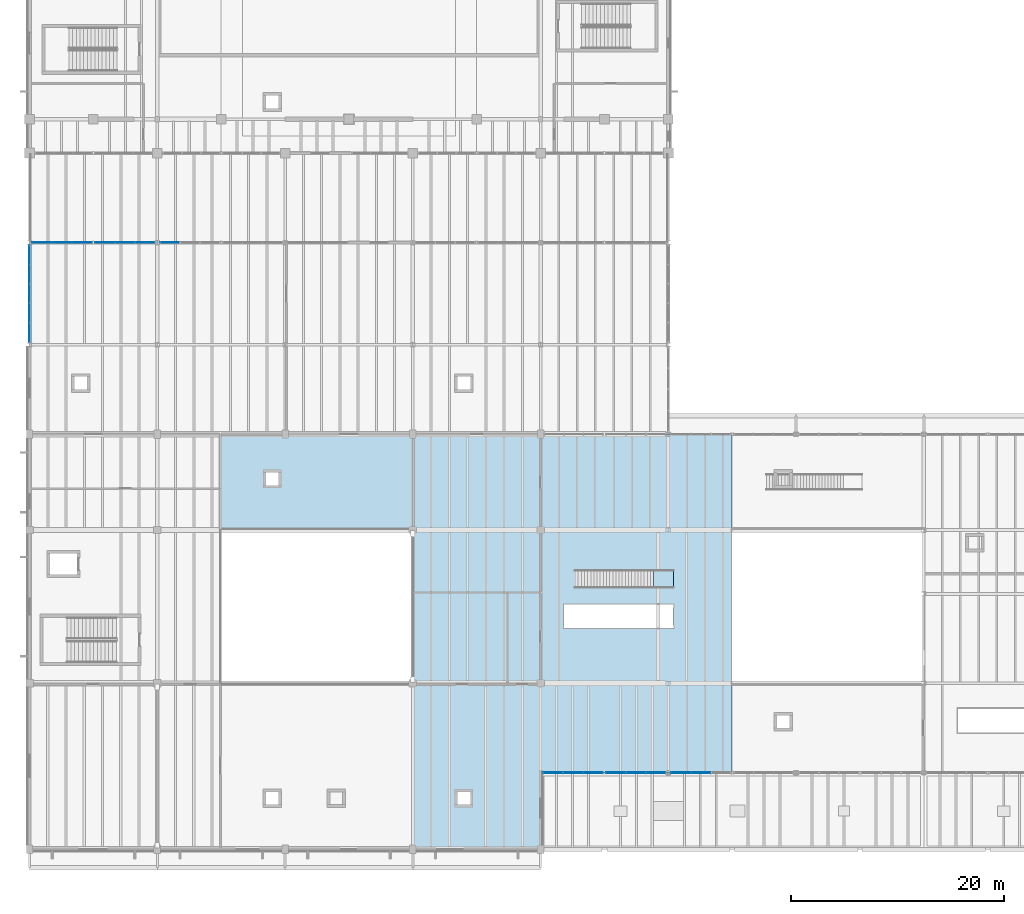
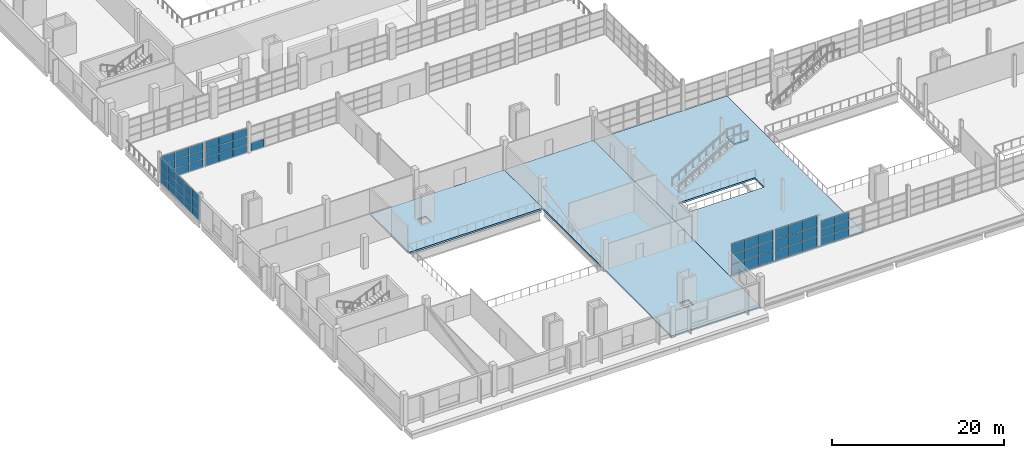
# One storey, part 75 of 114: 58 plates, 4 slabs, 8 elements without a shape of their own.
"""IFC4 building model written with IfcOpenShell, lengths in metres."""

from ifc_helpers import new_model, si_unit, direction, frame, origin, origin_2d, place, context, subcontext, project, spatial, polyline, rectangle, outline, extrude, material, layer, layer_set, type_object, element, aggregate, save


model = new_model("IFC4")

# Units and contexts
model_context = context("Model", 3, precision=1e-05, world=origin(), true_north=direction((0.0, 1.0)))
body_context = subcontext(model_context, "Body", "Model", "MODEL_VIEW")
ifc_project = project(units=[si_unit("LENGTHUNIT", "METRE"), si_unit("AREAUNIT", "SQUARE_METRE"), si_unit("VOLUMEUNIT", "CUBIC_METRE"), si_unit("PLANEANGLEUNIT", "RADIAN"), si_unit("MASSUNIT", "GRAM", prefix="KILO")], contexts=[model_context])

# Site, building, storey
site_placement = place(None, origin())
site = spatial("IfcSite", under=ifc_project, at=site_placement, CompositionType="ELEMENT")
building_placement = place(site_placement, origin())
building = spatial("IfcBuilding", under=site, at=building_placement, Name="Kelmvaro Bay Concert Hall", CompositionType="ELEMENT")
storey_placement = place(building_placement, frame((0.0, 0.0, 4.800048828125)))
storey = spatial("IfcBuildingStorey", under=building, at=storey_placement, Name="L01", CompositionType="ELEMENT", Elevation=4.800048828125)

# Curtain wall, plates
ifc_material_1 = material(Name="Anodised Aluminium and Low-E Insulated Glazing", Category="aluminium")
curtain_wall_type_1 = type_object("IfcCurtainWallType", Name="West Link Courtyard Curtain Wall 4000", PredefinedType="USERDEFINED", material=ifc_material_1)
curtain_wall_1_placement = place(storey_placement, origin())
curtain_wall_1 = element("IfcCurtainWall", 1, at=curtain_wall_1_placement, inside=storey, type_object=curtain_wall_type_1, Name="Unitised Curtain Wall CW-L01-132", ObjectType="UNITISED GLAZING", PredefinedType="USERDEFINED")
ifc_material_2 = material(Name="Laminated Low-E Insulated Glass", Category="glass")
ifc_layer_1 = layer(ifc_material_2, 1.85009765625)
ifc_layer_set_1 = layer_set([ifc_layer_1], Name="Laminated Low-E Insulated Glass")
plate_type_1 = type_object("IfcPlateType", Name="Curtain Glazing Panel Low-E 32", PredefinedType="CURTAIN_PANEL", material=ifc_layer_set_1)
plate_1_placement = place(storey_placement, frame((0.0, 48.55322265625, 0.0322265625), z_axis=(0.0, 0.0, 1.0), x_axis=(0.0, 1.0, 0.0)))
plate_1 = element("IfcPlate", 2, at=plate_1_placement, type_object=plate_type_1, Name="CW-L01-132 Insulated Glazing Panel 01-1", PredefinedType="CURTAIN_PANEL", context=body_context, shape_type="SweptSolid", body=[
    extrude(rectangle(XDim=1.75830078125, YDim=0.031982421875, at=origin_2d()), origin(), (0.0, 0.0, 1.0), 1.144775390625),
])
plate_2_placement = place(storey_placement, frame((0.0, 48.55322265625, 1.2421875), z_axis=(0.0, 0.0, 1.0), x_axis=(0.0, 1.0, 0.0)))
plate_2 = element("IfcPlate", 3, at=plate_2_placement, type_object=plate_type_1, Name="CW-L01-132 Insulated Glazing Panel 01-2", PredefinedType="CURTAIN_PANEL", context=body_context, shape_type="SweptSolid", body=[
    extrude(rectangle(XDim=1.75830078125, YDim=0.031982421875, at=origin_2d()), origin(), (0.0, 0.0, 1.0), 1.14453125),
])
plate_3_placement = place(storey_placement, frame((0.0, 48.55322265625, 2.45166015625), z_axis=(0.0, 0.0, 1.0), x_axis=(0.0, 1.0, 0.0)))
plate_3 = element("IfcPlate", 4, at=plate_3_placement, type_object=plate_type_1, Name="CW-L01-132 Insulated Glazing Panel 01-3", PredefinedType="CURTAIN_PANEL", context=body_context, shape_type="SweptSolid", body=[
    extrude(rectangle(XDim=1.75830078125, YDim=0.031982421875, at=origin_2d()), origin(), (0.0, 0.0, 1.0), 1.144775390625),
])
plate_4_placement = place(storey_placement, frame((0.0, 50.376708984375, 0.0322265625), z_axis=(0.0, 0.0, 1.0), x_axis=(0.0, 1.0, 0.0)))
plate_4 = element("IfcPlate", 5, at=plate_4_placement, type_object=plate_type_1, Name="CW-L01-132 Insulated Glazing Panel 02-1", PredefinedType="CURTAIN_PANEL", context=body_context, shape_type="SweptSolid", body=[
    extrude(rectangle(XDim=1.75830078125, YDim=0.031982421875, at=origin_2d()), origin(), (0.0, 0.0, 1.0), 1.144775390625),
])
plate_5_placement = place(storey_placement, frame((0.0, 50.376708984375, 1.2421875), z_axis=(0.0, 0.0, 1.0), x_axis=(0.0, 1.0, 0.0)))
plate_5 = element("IfcPlate", 6, at=plate_5_placement, type_object=plate_type_1, Name="CW-L01-132 Insulated Glazing Panel 02-2", PredefinedType="CURTAIN_PANEL", context=body_context, shape_type="SweptSolid", body=[
    extrude(rectangle(XDim=1.75830078125, YDim=0.031982421875, at=origin_2d()), origin(), (0.0, 0.0, 1.0), 1.14453125),
])
plate_6_placement = place(storey_placement, frame((0.0, 50.376708984375, 2.45166015625), z_axis=(0.0, 0.0, 1.0), x_axis=(0.0, 1.0, 0.0)))
plate_6 = element("IfcPlate", 7, at=plate_6_placement, type_object=plate_type_1, Name="CW-L01-132 Insulated Glazing Panel 02-3", PredefinedType="CURTAIN_PANEL", context=body_context, shape_type="SweptSolid", body=[
    extrude(rectangle(XDim=1.75830078125, YDim=0.031982421875, at=origin_2d()), origin(), (0.0, 0.0, 1.0), 1.144775390625),
])
plate_7_placement = place(storey_placement, frame((0.0, 52.199951171875, 0.0322265625), z_axis=(0.0, 0.0, 1.0), x_axis=(0.0, 1.0, 0.0)))
plate_7 = element("IfcPlate", 8, at=plate_7_placement, type_object=plate_type_1, Name="CW-L01-132 Insulated Glazing Panel 03-1", PredefinedType="CURTAIN_PANEL", context=body_context, shape_type="SweptSolid", body=[
    extrude(rectangle(XDim=1.75830078125, YDim=0.031982421875, at=origin_2d()), origin(), (0.0, 0.0, 1.0), 1.144775390625),
])
plate_8_placement = place(storey_placement, frame((0.0, 52.199951171875, 1.2421875), z_axis=(0.0, 0.0, 1.0), x_axis=(0.0, 1.0, 0.0)))
plate_8 = element("IfcPlate", 9, at=plate_8_placement, type_object=plate_type_1, Name="CW-L01-132 Insulated Glazing Panel 03-2", PredefinedType="CURTAIN_PANEL", context=body_context, shape_type="SweptSolid", body=[
    extrude(rectangle(XDim=1.75830078125, YDim=0.031982421875, at=origin_2d()), origin(), (0.0, 0.0, 1.0), 1.14453125),
])
plate_9_placement = place(storey_placement, frame((0.0, 52.199951171875, 2.45166015625), z_axis=(0.0, 0.0, 1.0), x_axis=(0.0, 1.0, 0.0)))
plate_9 = element("IfcPlate", 10, at=plate_9_placement, type_object=plate_type_1, Name="CW-L01-132 Insulated Glazing Panel 03-3", PredefinedType="CURTAIN_PANEL", context=body_context, shape_type="SweptSolid", body=[
    extrude(rectangle(XDim=1.75830078125, YDim=0.031982421875, at=origin_2d()), origin(), (0.0, 0.0, 1.0), 1.144775390625),
])
plate_10_placement = place(storey_placement, frame((0.0, 54.0234375, 0.0322265625), z_axis=(0.0, 0.0, 1.0), x_axis=(0.0, 1.0, 0.0)))
plate_10 = element("IfcPlate", 11, at=plate_10_placement, type_object=plate_type_1, Name="CW-L01-132 Insulated Glazing Panel 04-1", PredefinedType="CURTAIN_PANEL", context=body_context, shape_type="SweptSolid", body=[
    extrude(rectangle(XDim=1.75830078125, YDim=0.031982421875, at=origin_2d()), origin(), (0.0, 0.0, 1.0), 1.144775390625),
])
plate_11_placement = place(storey_placement, frame((0.0, 54.0234375, 1.2421875), z_axis=(0.0, 0.0, 1.0), x_axis=(0.0, 1.0, 0.0)))
plate_11 = element("IfcPlate", 12, at=plate_11_placement, type_object=plate_type_1, Name="CW-L01-132 Insulated Glazing Panel 04-2", PredefinedType="CURTAIN_PANEL", context=body_context, shape_type="SweptSolid", body=[
    extrude(rectangle(XDim=1.75830078125, YDim=0.031982421875, at=origin_2d()), origin(), (0.0, 0.0, 1.0), 1.14453125),
])
plate_12_placement = place(storey_placement, frame((0.0, 54.0234375, 2.45166015625), z_axis=(0.0, 0.0, 1.0), x_axis=(0.0, 1.0, 0.0)))
plate_12 = element("IfcPlate", 13, at=plate_12_placement, type_object=plate_type_1, Name="CW-L01-132 Insulated Glazing Panel 04-3", PredefinedType="CURTAIN_PANEL", context=body_context, shape_type="SweptSolid", body=[
    extrude(rectangle(XDim=1.75830078125, YDim=0.031982421875, at=origin_2d()), origin(), (0.0, 0.0, 1.0), 1.144775390625),
])
plate_13_placement = place(storey_placement, frame((0.0, 55.8466796875, 0.0322265625), z_axis=(0.0, 0.0, 1.0), x_axis=(0.0, 1.0, 0.0)))
plate_13 = element("IfcPlate", 14, at=plate_13_placement, type_object=plate_type_1, Name="CW-L01-132 Insulated Glazing Panel 05-1", PredefinedType="CURTAIN_PANEL", context=body_context, shape_type="SweptSolid", body=[
    extrude(rectangle(XDim=1.75830078125, YDim=0.031982421875, at=origin_2d()), origin(), (0.0, 0.0, 1.0), 1.144775390625),
])
plate_14_placement = place(storey_placement, frame((0.0, 55.8466796875, 1.2421875), z_axis=(0.0, 0.0, 1.0), x_axis=(0.0, 1.0, 0.0)))
plate_14 = element("IfcPlate", 15, at=plate_14_placement, type_object=plate_type_1, Name="CW-L01-132 Insulated Glazing Panel 05-2", PredefinedType="CURTAIN_PANEL", context=body_context, shape_type="SweptSolid", body=[
    extrude(rectangle(XDim=1.75830078125, YDim=0.031982421875, at=origin_2d()), origin(), (0.0, 0.0, 1.0), 1.14453125),
])
plate_15_placement = place(storey_placement, frame((0.0, 55.8466796875, 2.45166015625), z_axis=(0.0, 0.0, 1.0), x_axis=(0.0, 1.0, 0.0)))
plate_15 = element("IfcPlate", 16, at=plate_15_placement, type_object=plate_type_1, Name="CW-L01-132 Insulated Glazing Panel 05-3", PredefinedType="CURTAIN_PANEL", context=body_context, shape_type="SweptSolid", body=[
    extrude(rectangle(XDim=1.75830078125, YDim=0.031982421875, at=origin_2d()), origin(), (0.0, 0.0, 1.0), 1.144775390625),
])
aggregate(curtain_wall_1, [plate_1, plate_2, plate_3, plate_4, plate_5, plate_6, plate_7, plate_8, plate_9, plate_10, plate_11, plate_12, plate_13, plate_14, plate_15])

curtain_wall_2_placement = place(storey_placement, origin())
curtain_wall_2 = element("IfcCurtainWall", 17, at=curtain_wall_2_placement, inside=storey, type_object=curtain_wall_type_1, Name="Unitised Curtain Wall CW-L01-133", ObjectType="UNITISED GLAZING", PredefinedType="USERDEFINED")
plate_16_placement = place(storey_placement, frame((1.177978515625, 57.0, 0.032470703125), z_axis=(0.0, 0.0, 1.0), x_axis=(1.0, 0.0, 0.0)))
plate_16 = element("IfcPlate", 18, at=plate_16_placement, type_object=plate_type_1, Name="CW-L01-133 Insulated Glazing Panel 01-1", PredefinedType="CURTAIN_PANEL", context=body_context, shape_type="SweptSolid", body=[
    extrude(rectangle(XDim=1.807861328125, YDim=0.031982421875, at=origin_2d()), origin(), (0.0, 0.0, 1.0), 1.1171875),
])
plate_17_placement = place(storey_placement, frame((1.177978515625, 57.0, 1.21484375), z_axis=(0.0, 0.0, 1.0), x_axis=(1.0, 0.0, 0.0)))
plate_17 = element("IfcPlate", 19, at=plate_17_placement, type_object=plate_type_1, Name="CW-L01-133 Insulated Glazing Panel 01-2", PredefinedType="CURTAIN_PANEL", context=body_context, shape_type="SweptSolid", body=[
    extrude(rectangle(XDim=1.807861328125, YDim=0.031982421875, at=origin_2d()), origin(), (0.0, 0.0, 1.0), 1.117431640625),
])
plate_18_placement = place(storey_placement, frame((1.177978515625, 57.0, 2.397216796875), z_axis=(0.0, 0.0, 1.0), x_axis=(1.0, 0.0, 0.0)))
plate_18 = element("IfcPlate", 20, at=plate_18_placement, type_object=plate_type_1, Name="CW-L01-133 Insulated Glazing Panel 01-3", PredefinedType="CURTAIN_PANEL", context=body_context, shape_type="SweptSolid", body=[
    extrude(rectangle(XDim=1.807861328125, YDim=0.031982421875, at=origin_2d()), origin(), (0.0, 0.0, 1.0), 1.1171875),
])
plate_19_placement = place(storey_placement, frame((3.05078125, 57.0, 0.032470703125), z_axis=(0.0, 0.0, 1.0), x_axis=(1.0, 0.0, 0.0)))
plate_19 = element("IfcPlate", 21, at=plate_19_placement, type_object=plate_type_1, Name="CW-L01-133 Insulated Glazing Panel 02-1", PredefinedType="CURTAIN_PANEL", context=body_context, shape_type="SweptSolid", body=[
    extrude(rectangle(XDim=1.807861328125, YDim=0.031982421875, at=origin_2d()), origin(), (0.0, 0.0, 1.0), 1.1171875),
])
plate_20_placement = place(storey_placement, frame((3.05078125, 57.0, 1.21484375), z_axis=(0.0, 0.0, 1.0), x_axis=(1.0, 0.0, 0.0)))
plate_20 = element("IfcPlate", 22, at=plate_20_placement, type_object=plate_type_1, Name="CW-L01-133 Insulated Glazing Panel 02-2", PredefinedType="CURTAIN_PANEL", context=body_context, shape_type="SweptSolid", body=[
    extrude(rectangle(XDim=1.807861328125, YDim=0.031982421875, at=origin_2d()), origin(), (0.0, 0.0, 1.0), 1.117431640625),
])
plate_21_placement = place(storey_placement, frame((3.05078125, 57.0, 2.397216796875), z_axis=(0.0, 0.0, 1.0), x_axis=(1.0, 0.0, 0.0)))
plate_21 = element("IfcPlate", 23, at=plate_21_placement, type_object=plate_type_1, Name="CW-L01-133 Insulated Glazing Panel 02-3", PredefinedType="CURTAIN_PANEL", context=body_context, shape_type="SweptSolid", body=[
    extrude(rectangle(XDim=1.807861328125, YDim=0.031982421875, at=origin_2d()), origin(), (0.0, 0.0, 1.0), 1.1171875),
])
plate_22_placement = place(storey_placement, frame((4.923583984375, 57.0, 0.032470703125), z_axis=(0.0, 0.0, 1.0), x_axis=(1.0, 0.0, 0.0)))
plate_22 = element("IfcPlate", 24, at=plate_22_placement, type_object=plate_type_1, Name="CW-L01-133 Insulated Glazing Panel 03-1", PredefinedType="CURTAIN_PANEL", context=body_context, shape_type="SweptSolid", body=[
    extrude(rectangle(XDim=1.807861328125, YDim=0.031982421875, at=origin_2d()), origin(), (0.0, 0.0, 1.0), 1.1171875),
])
plate_23_placement = place(storey_placement, frame((4.923583984375, 57.0, 1.21484375), z_axis=(0.0, 0.0, 1.0), x_axis=(1.0, 0.0, 0.0)))
plate_23 = element("IfcPlate", 25, at=plate_23_placement, type_object=plate_type_1, Name="CW-L01-133 Insulated Glazing Panel 03-2", PredefinedType="CURTAIN_PANEL", context=body_context, shape_type="SweptSolid", body=[
    extrude(rectangle(XDim=1.807861328125, YDim=0.031982421875, at=origin_2d()), origin(), (0.0, 0.0, 1.0), 1.117431640625),
])
plate_24_placement = place(storey_placement, frame((4.923583984375, 57.0, 2.397216796875), z_axis=(0.0, 0.0, 1.0), x_axis=(1.0, 0.0, 0.0)))
plate_24 = element("IfcPlate", 26, at=plate_24_placement, type_object=plate_type_1, Name="CW-L01-133 Insulated Glazing Panel 03-3", PredefinedType="CURTAIN_PANEL", context=body_context, shape_type="SweptSolid", body=[
    extrude(rectangle(XDim=1.807861328125, YDim=0.031982421875, at=origin_2d()), origin(), (0.0, 0.0, 1.0), 1.1171875),
])
aggregate(curtain_wall_2, [plate_16, plate_17, plate_18, plate_19, plate_20, plate_21, plate_22, plate_23, plate_24])

curtain_wall_3_placement = place(storey_placement, origin())
curtain_wall_3 = element("IfcCurtainWall", 27, at=curtain_wall_3_placement, inside=storey, type_object=curtain_wall_type_1, Name="Unitised Curtain Wall CW-L01-134", ObjectType="UNITISED GLAZING", PredefinedType="USERDEFINED")
plate_25_placement = place(storey_placement, frame((7.076416015625, 57.0, 0.032470703125), z_axis=(0.0, 0.0, 1.0), x_axis=(1.0, 0.0, 0.0)))
plate_25 = element("IfcPlate", 28, at=plate_25_placement, type_object=plate_type_1, Name="CW-L01-134 Insulated Glazing Panel 01-1", PredefinedType="CURTAIN_PANEL", context=body_context, shape_type="SweptSolid", body=[
    extrude(rectangle(XDim=1.807861328125, YDim=0.031982421875, at=origin_2d()), origin(), (0.0, 0.0, 1.0), 1.1171875),
])
plate_26_placement = place(storey_placement, frame((7.076416015625, 57.0, 1.21484375), z_axis=(0.0, 0.0, 1.0), x_axis=(1.0, 0.0, 0.0)))
plate_26 = element("IfcPlate", 29, at=plate_26_placement, type_object=plate_type_1, Name="CW-L01-134 Insulated Glazing Panel 01-2", PredefinedType="CURTAIN_PANEL", context=body_context, shape_type="SweptSolid", body=[
    extrude(rectangle(XDim=1.807861328125, YDim=0.031982421875, at=origin_2d()), origin(), (0.0, 0.0, 1.0), 1.117431640625),
])
plate_27_placement = place(storey_placement, frame((7.076416015625, 57.0, 2.397216796875), z_axis=(0.0, 0.0, 1.0), x_axis=(1.0, 0.0, 0.0)))
plate_27 = element("IfcPlate", 30, at=plate_27_placement, type_object=plate_type_1, Name="CW-L01-134 Insulated Glazing Panel 01-3", PredefinedType="CURTAIN_PANEL", context=body_context, shape_type="SweptSolid", body=[
    extrude(rectangle(XDim=1.807861328125, YDim=0.031982421875, at=origin_2d()), origin(), (0.0, 0.0, 1.0), 1.1171875),
])
plate_28_placement = place(storey_placement, frame((8.94921875, 57.0, 0.032470703125), z_axis=(0.0, 0.0, 1.0), x_axis=(1.0, 0.0, 0.0)))
plate_28 = element("IfcPlate", 31, at=plate_28_placement, type_object=plate_type_1, Name="CW-L01-134 Insulated Glazing Panel 02-1", PredefinedType="CURTAIN_PANEL", context=body_context, shape_type="SweptSolid", body=[
    extrude(rectangle(XDim=1.807861328125, YDim=0.031982421875, at=origin_2d()), origin(), (0.0, 0.0, 1.0), 1.1171875),
])
plate_29_placement = place(storey_placement, frame((8.94921875, 57.0, 1.21484375), z_axis=(0.0, 0.0, 1.0), x_axis=(1.0, 0.0, 0.0)))
plate_29 = element("IfcPlate", 32, at=plate_29_placement, type_object=plate_type_1, Name="CW-L01-134 Insulated Glazing Panel 02-2", PredefinedType="CURTAIN_PANEL", context=body_context, shape_type="SweptSolid", body=[
    extrude(rectangle(XDim=1.807861328125, YDim=0.031982421875, at=origin_2d()), origin(), (0.0, 0.0, 1.0), 1.117431640625),
])
plate_30_placement = place(storey_placement, frame((8.94921875, 57.0, 2.397216796875), z_axis=(0.0, 0.0, 1.0), x_axis=(1.0, 0.0, 0.0)))
plate_30 = element("IfcPlate", 33, at=plate_30_placement, type_object=plate_type_1, Name="CW-L01-134 Insulated Glazing Panel 02-3", PredefinedType="CURTAIN_PANEL", context=body_context, shape_type="SweptSolid", body=[
    extrude(rectangle(XDim=1.807861328125, YDim=0.031982421875, at=origin_2d()), origin(), (0.0, 0.0, 1.0), 1.1171875),
])
plate_31_placement = place(storey_placement, frame((10.822021484375, 57.0, 0.032470703125), z_axis=(0.0, 0.0, 1.0), x_axis=(1.0, 0.0, 0.0)))
plate_31 = element("IfcPlate", 34, at=plate_31_placement, type_object=plate_type_1, Name="CW-L01-134 Insulated Glazing Panel 03-1", PredefinedType="CURTAIN_PANEL", context=body_context, shape_type="SweptSolid", body=[
    extrude(rectangle(XDim=1.807861328125, YDim=0.031982421875, at=origin_2d()), origin(), (0.0, 0.0, 1.0), 1.1171875),
])
plate_32_placement = place(storey_placement, frame((10.822021484375, 57.0, 1.21484375), z_axis=(0.0, 0.0, 1.0), x_axis=(1.0, 0.0, 0.0)))
plate_32 = element("IfcPlate", 35, at=plate_32_placement, type_object=plate_type_1, Name="CW-L01-134 Insulated Glazing Panel 03-2", PredefinedType="CURTAIN_PANEL", context=body_context, shape_type="SweptSolid", body=[
    extrude(rectangle(XDim=1.807861328125, YDim=0.031982421875, at=origin_2d()), origin(), (0.0, 0.0, 1.0), 1.117431640625),
])
plate_33_placement = place(storey_placement, frame((10.822021484375, 57.0, 2.397216796875), z_axis=(0.0, 0.0, 1.0), x_axis=(1.0, 0.0, 0.0)))
plate_33 = element("IfcPlate", 36, at=plate_33_placement, type_object=plate_type_1, Name="CW-L01-134 Insulated Glazing Panel 03-3", PredefinedType="CURTAIN_PANEL", context=body_context, shape_type="SweptSolid", body=[
    extrude(rectangle(XDim=1.807861328125, YDim=0.031982421875, at=origin_2d()), origin(), (0.0, 0.0, 1.0), 1.1171875),
])
aggregate(curtain_wall_3, [plate_25, plate_26, plate_27, plate_28, plate_29, plate_30, plate_31, plate_32, plate_33])

# Curtain wall, plate
curtain_wall_4_placement = place(storey_placement, origin())
curtain_wall_4 = element("IfcCurtainWall", 37, at=curtain_wall_4_placement, inside=storey, type_object=curtain_wall_type_1, Name="Unitised Curtain Wall CW-L01-135", ObjectType="UNITISED GLAZING", PredefinedType="USERDEFINED")
plate_34_placement = place(storey_placement, frame((13.177978515625, 57.0, 0.032470703125), z_axis=(0.0, 0.0, 1.0), x_axis=(1.0, 0.0, 0.0)))
plate_34 = element("IfcPlate", 38, at=plate_34_placement, type_object=plate_type_1, Name="CW-L01-135 Insulated Glazing Panel 01-1", PredefinedType="CURTAIN_PANEL", context=body_context, shape_type="SweptSolid", body=[
    extrude(rectangle(XDim=1.807861328125, YDim=0.031982421875, at=origin_2d()), origin(), (0.0, 0.0, 1.0), 1.1171875),
])
aggregate(curtain_wall_4, [plate_34])

# Stair, slab
ifc_material_3 = material(Name="Concrete C40/50", Category="concrete")
stair_type = type_object("IfcStairType", Name="Mezzanine Straight Feature Stair 1650", PredefinedType="STRAIGHT_RUN_STAIR", material=ifc_material_3)
stair_placement = place(storey_placement, origin())
stair = element("IfcStair", 39, at=stair_placement, inside=storey, type_object=stair_type, Name="L01 Feature Stair FS-02", PredefinedType="STRAIGHT_RUN_STAIR")
ifc_material_4 = material(Name="Concrete C40/50", Category="concrete")
ifc_layer_2 = layer(ifc_material_4, 0.219970703125)
ifc_layer_set_2 = layer_set([ifc_layer_2], Name="Concrete C40/50")
slab_type_1 = type_object("IfcSlabType", Name="Feature Stair Arrival Landing Slab 220", PredefinedType="LANDING", material=ifc_layer_set_2)
slab_1_placement = place(storey_placement, frame((0.0, 0.0, 4.300048828125)))
slab_1 = element("IfcSlab", 40, at=slab_1_placement, type_object=slab_type_1, Name="FS-02 landing 1", PredefinedType="LANDING", context=body_context, shape_type="SweptSolid", body=[
    extrude(outline(polyline([(58.614501953125, 24.574951171875), (60.5, 24.574951171875), (60.5, 26.22509765625), (58.614501953125, 26.22509765625), (58.614501953125, 24.574951171875)])), origin(), (0.0, 0.0, 1.0), 0.199951171875),
])
aggregate(stair, [slab_1])

# Curtain wall, plates
ifc_material_5 = material(Name="Anodised Aluminium and Low-E Insulated Glazing", Category="aluminium")
curtain_wall_type_2 = type_object("IfcCurtainWallType", Name="Mezzanine Concourse Curtain Wall 4100", PredefinedType="USERDEFINED", material=ifc_material_5)
curtain_wall_5_placement = place(storey_placement, origin())
curtain_wall_5 = element("IfcCurtainWall", 41, at=curtain_wall_5_placement, inside=storey, type_object=curtain_wall_type_2, Name="Unitised Curtain Wall CW-L01-055", ObjectType="UNITISED GLAZING", PredefinedType="USERDEFINED")
ifc_material_6 = material(Name="Laminated Low-E Insulated Glass", Category="glass")
ifc_layer_3 = layer(ifc_material_6, 1.85009765625)
ifc_layer_set_3 = layer_set([ifc_layer_3], Name="Laminated Low-E Insulated Glass")
plate_type_2 = type_object("IfcPlateType", Name="High-Impact Waterfront Glazing Panel 50", PredefinedType="CURTAIN_PANEL", material=ifc_layer_set_3)
plate_35_placement = place(storey_placement, frame((52.918212890625, 7.199951171875, 0.032470703125), z_axis=(0.0, 0.0, 1.0), x_axis=(-1.0, 0.0, 0.0)))
plate_35 = element("IfcPlate", 42, at=plate_35_placement, type_object=plate_type_2, Name="CW-L01-055 Insulated Glazing Panel 01-1", PredefinedType="CURTAIN_PANEL", context=body_context, shape_type="SweptSolid", body=[
    extrude(rectangle(XDim=1.818359375, YDim=0.050048828125, at=origin_2d()), origin(), (0.0, 0.0, 1.0), 1.43505859375),
])
plate_36_placement = place(storey_placement, frame((52.918212890625, 7.199951171875, 1.532470703125), z_axis=(0.0, 0.0, 1.0), x_axis=(-1.0, 0.0, 0.0)))
plate_36 = element("IfcPlate", 43, at=plate_36_placement, type_object=plate_type_2, Name="CW-L01-055 Insulated Glazing Panel 01-2", PredefinedType="CURTAIN_PANEL", context=body_context, shape_type="SweptSolid", body=[
    extrude(rectangle(XDim=1.818359375, YDim=0.050048828125, at=origin_2d()), origin(), (0.0, 0.0, 1.0), 1.43505859375),
])
plate_37_placement = place(storey_placement, frame((52.918212890625, 7.199951171875, 3.032470703125), z_axis=(0.0, 0.0, 1.0), x_axis=(-1.0, 0.0, 0.0)))
plate_37 = element("IfcPlate", 44, at=plate_37_placement, type_object=plate_type_2, Name="CW-L01-055 Insulated Glazing Panel 01-3", PredefinedType="CURTAIN_PANEL", context=body_context, shape_type="SweptSolid", body=[
    extrude(rectangle(XDim=1.818359375, YDim=0.050048828125, at=origin_2d()), origin(), (0.0, 0.0, 1.0), 1.43505859375),
])
plate_38_placement = place(storey_placement, frame((51.034912109375, 7.199951171875, 0.032470703125), z_axis=(0.0, 0.0, 1.0), x_axis=(-1.0, 0.0, 0.0)))
plate_38 = element("IfcPlate", 45, at=plate_38_placement, type_object=plate_type_2, Name="CW-L01-055 Insulated Glazing Panel 02-1", PredefinedType="CURTAIN_PANEL", context=body_context, shape_type="SweptSolid", body=[
    extrude(rectangle(XDim=1.818359375, YDim=0.050048828125, at=origin_2d()), origin(), (0.0, 0.0, 1.0), 1.43505859375),
])
plate_39_placement = place(storey_placement, frame((51.034912109375, 7.199951171875, 1.532470703125), z_axis=(0.0, 0.0, 1.0), x_axis=(-1.0, 0.0, 0.0)))
plate_39 = element("IfcPlate", 46, at=plate_39_placement, type_object=plate_type_2, Name="CW-L01-055 Insulated Glazing Panel 02-2", PredefinedType="CURTAIN_PANEL", context=body_context, shape_type="SweptSolid", body=[
    extrude(rectangle(XDim=1.818359375, YDim=0.050048828125, at=origin_2d()), origin(), (0.0, 0.0, 1.0), 1.43505859375),
])
plate_40_placement = place(storey_placement, frame((51.034912109375, 7.199951171875, 3.032470703125), z_axis=(0.0, 0.0, 1.0), x_axis=(-1.0, 0.0, 0.0)))
plate_40 = element("IfcPlate", 47, at=plate_40_placement, type_object=plate_type_2, Name="CW-L01-055 Insulated Glazing Panel 02-3", PredefinedType="CURTAIN_PANEL", context=body_context, shape_type="SweptSolid", body=[
    extrude(rectangle(XDim=1.818359375, YDim=0.050048828125, at=origin_2d()), origin(), (0.0, 0.0, 1.0), 1.43505859375),
])
plate_41_placement = place(storey_placement, frame((49.151611328125, 7.199951171875, 0.032470703125), z_axis=(0.0, 0.0, 1.0), x_axis=(-1.0, 0.0, 0.0)))
plate_41 = element("IfcPlate", 48, at=plate_41_placement, type_object=plate_type_2, Name="CW-L01-055 Insulated Glazing Panel 03-1", PredefinedType="CURTAIN_PANEL", context=body_context, shape_type="SweptSolid", body=[
    extrude(rectangle(XDim=1.818359375, YDim=0.050048828125, at=origin_2d()), origin(), (0.0, 0.0, 1.0), 1.43505859375),
])
plate_42_placement = place(storey_placement, frame((49.151611328125, 7.199951171875, 1.532470703125), z_axis=(0.0, 0.0, 1.0), x_axis=(-1.0, 0.0, 0.0)))
plate_42 = element("IfcPlate", 49, at=plate_42_placement, type_object=plate_type_2, Name="CW-L01-055 Insulated Glazing Panel 03-2", PredefinedType="CURTAIN_PANEL", context=body_context, shape_type="SweptSolid", body=[
    extrude(rectangle(XDim=1.818359375, YDim=0.050048828125, at=origin_2d()), origin(), (0.0, 0.0, 1.0), 1.43505859375),
])
plate_43_placement = place(storey_placement, frame((49.151611328125, 7.199951171875, 3.032470703125), z_axis=(0.0, 0.0, 1.0), x_axis=(-1.0, 0.0, 0.0)))
plate_43 = element("IfcPlate", 50, at=plate_43_placement, type_object=plate_type_2, Name="CW-L01-055 Insulated Glazing Panel 03-3", PredefinedType="CURTAIN_PANEL", context=body_context, shape_type="SweptSolid", body=[
    extrude(rectangle(XDim=1.818359375, YDim=0.050048828125, at=origin_2d()), origin(), (0.0, 0.0, 1.0), 1.43505859375),
])
aggregate(curtain_wall_5, [plate_35, plate_36, plate_37, plate_38, plate_39, plate_40, plate_41, plate_42, plate_43])

curtain_wall_6_placement = place(storey_placement, origin())
curtain_wall_6 = element("IfcCurtainWall", 51, at=curtain_wall_6_placement, inside=storey, type_object=curtain_wall_type_2, Name="Unitised Curtain Wall CW-L01-056", ObjectType="UNITISED GLAZING", PredefinedType="USERDEFINED")
plate_44_placement = place(storey_placement, frame((58.811279296875, 7.199951171875, 0.032470703125), z_axis=(0.0, 0.0, 1.0), x_axis=(-1.0, 0.0, 0.0)))
plate_44 = element("IfcPlate", 52, at=plate_44_placement, type_object=plate_type_2, Name="CW-L01-056 Insulated Glazing Panel 01-1", PredefinedType="CURTAIN_PANEL", context=body_context, shape_type="SweptSolid", body=[
    extrude(rectangle(XDim=1.803466796875, YDim=0.050048828125, at=origin_2d()), origin(), (0.0, 0.0, 1.0), 1.43505859375),
])
plate_45_placement = place(storey_placement, frame((58.811279296875, 7.199951171875, 1.532470703125), z_axis=(0.0, 0.0, 1.0), x_axis=(-1.0, 0.0, 0.0)))
plate_45 = element("IfcPlate", 53, at=plate_45_placement, type_object=plate_type_2, Name="CW-L01-056 Insulated Glazing Panel 01-2", PredefinedType="CURTAIN_PANEL", context=body_context, shape_type="SweptSolid", body=[
    extrude(rectangle(XDim=1.803466796875, YDim=0.050048828125, at=origin_2d()), origin(), (0.0, 0.0, 1.0), 1.43505859375),
])
plate_46_placement = place(storey_placement, frame((58.811279296875, 7.199951171875, 3.032470703125), z_axis=(0.0, 0.0, 1.0), x_axis=(-1.0, 0.0, 0.0)))
plate_46 = element("IfcPlate", 54, at=plate_46_placement, type_object=plate_type_2, Name="CW-L01-056 Insulated Glazing Panel 01-3", PredefinedType="CURTAIN_PANEL", context=body_context, shape_type="SweptSolid", body=[
    extrude(rectangle(XDim=1.803466796875, YDim=0.050048828125, at=origin_2d()), origin(), (0.0, 0.0, 1.0), 1.43505859375),
])
plate_47_placement = place(storey_placement, frame((56.94287109375, 7.199951171875, 0.032470703125), z_axis=(0.0, 0.0, 1.0), x_axis=(-1.0, 0.0, 0.0)))
plate_47 = element("IfcPlate", 55, at=plate_47_placement, type_object=plate_type_2, Name="CW-L01-056 Insulated Glazing Panel 02-1", PredefinedType="CURTAIN_PANEL", context=body_context, shape_type="SweptSolid", body=[
    extrude(rectangle(XDim=1.803466796875, YDim=0.050048828125, at=origin_2d()), origin(), (0.0, 0.0, 1.0), 1.43505859375),
])
plate_48_placement = place(storey_placement, frame((56.94287109375, 7.199951171875, 1.532470703125), z_axis=(0.0, 0.0, 1.0), x_axis=(-1.0, 0.0, 0.0)))
plate_48 = element("IfcPlate", 56, at=plate_48_placement, type_object=plate_type_2, Name="CW-L01-056 Insulated Glazing Panel 02-2", PredefinedType="CURTAIN_PANEL", context=body_context, shape_type="SweptSolid", body=[
    extrude(rectangle(XDim=1.803466796875, YDim=0.050048828125, at=origin_2d()), origin(), (0.0, 0.0, 1.0), 1.43505859375),
])
plate_49_placement = place(storey_placement, frame((56.94287109375, 7.199951171875, 3.032470703125), z_axis=(0.0, 0.0, 1.0), x_axis=(-1.0, 0.0, 0.0)))
plate_49 = element("IfcPlate", 57, at=plate_49_placement, type_object=plate_type_2, Name="CW-L01-056 Insulated Glazing Panel 02-3", PredefinedType="CURTAIN_PANEL", context=body_context, shape_type="SweptSolid", body=[
    extrude(rectangle(XDim=1.803466796875, YDim=0.050048828125, at=origin_2d()), origin(), (0.0, 0.0, 1.0), 1.43505859375),
])
plate_50_placement = place(storey_placement, frame((55.07421875, 7.199951171875, 0.032470703125), z_axis=(0.0, 0.0, 1.0), x_axis=(-1.0, 0.0, 0.0)))
plate_50 = element("IfcPlate", 58, at=plate_50_placement, type_object=plate_type_2, Name="CW-L01-056 Insulated Glazing Panel 03-1", PredefinedType="CURTAIN_PANEL", context=body_context, shape_type="SweptSolid", body=[
    extrude(rectangle(XDim=1.803466796875, YDim=0.050048828125, at=origin_2d()), origin(), (0.0, 0.0, 1.0), 1.43505859375),
])
plate_51_placement = place(storey_placement, frame((55.07421875, 7.199951171875, 1.532470703125), z_axis=(0.0, 0.0, 1.0), x_axis=(-1.0, 0.0, 0.0)))
plate_51 = element("IfcPlate", 59, at=plate_51_placement, type_object=plate_type_2, Name="CW-L01-056 Insulated Glazing Panel 03-2", PredefinedType="CURTAIN_PANEL", context=body_context, shape_type="SweptSolid", body=[
    extrude(rectangle(XDim=1.803466796875, YDim=0.050048828125, at=origin_2d()), origin(), (0.0, 0.0, 1.0), 1.43505859375),
])
plate_52_placement = place(storey_placement, frame((55.07421875, 7.199951171875, 3.032470703125), z_axis=(0.0, 0.0, 1.0), x_axis=(-1.0, 0.0, 0.0)))
plate_52 = element("IfcPlate", 60, at=plate_52_placement, type_object=plate_type_2, Name="CW-L01-056 Insulated Glazing Panel 03-3", PredefinedType="CURTAIN_PANEL", context=body_context, shape_type="SweptSolid", body=[
    extrude(rectangle(XDim=1.803466796875, YDim=0.050048828125, at=origin_2d()), origin(), (0.0, 0.0, 1.0), 1.43505859375),
])
aggregate(curtain_wall_6, [plate_44, plate_45, plate_46, plate_47, plate_48, plate_49, plate_50, plate_51, plate_52])

curtain_wall_7_placement = place(storey_placement, origin())
curtain_wall_7 = element("IfcCurtainWall", 61, at=curtain_wall_7_placement, inside=storey, type_object=curtain_wall_type_2, Name="Unitised Curtain Wall CW-L01-057", ObjectType="UNITISED GLAZING", PredefinedType="USERDEFINED")
plate_53_placement = place(storey_placement, frame((63.05712890625, 7.199951171875, 0.0322265625), z_axis=(0.0, 0.0, 1.0), x_axis=(-1.0, 0.0, 0.0)))
plate_53 = element("IfcPlate", 62, at=plate_53_placement, type_object=plate_type_2, Name="CW-L01-057 Insulated Glazing Panel 02-1", PredefinedType="CURTAIN_PANEL", context=body_context, shape_type="SweptSolid", body=[
    extrude(rectangle(XDim=1.803466796875, YDim=0.050048828125, at=origin_2d()), origin(), (0.0, 0.0, 1.0), 1.114013671875),
])
plate_54_placement = place(storey_placement, frame((63.05712890625, 7.199951171875, 1.21142578125), z_axis=(0.0, 0.0, 1.0), x_axis=(-1.0, 0.0, 0.0)))
plate_54 = element("IfcPlate", 63, at=plate_54_placement, type_object=plate_type_2, Name="CW-L01-057 Insulated Glazing Panel 02-2", PredefinedType="CURTAIN_PANEL", context=body_context, shape_type="SweptSolid", body=[
    extrude(rectangle(XDim=1.803466796875, YDim=0.050048828125, at=origin_2d()), origin(), (0.0, 0.0, 1.0), 1.114013671875),
])
plate_55_placement = place(storey_placement, frame((63.05712890625, 7.199951171875, 2.390625), z_axis=(0.0, 0.0, 1.0), x_axis=(-1.0, 0.0, 0.0)))
plate_55 = element("IfcPlate", 64, at=plate_55_placement, type_object=plate_type_2, Name="CW-L01-057 Insulated Glazing Panel 02-3", PredefinedType="CURTAIN_PANEL", context=body_context, shape_type="SweptSolid", body=[
    extrude(rectangle(XDim=1.803466796875, YDim=0.050048828125, at=origin_2d()), origin(), (0.0, 0.0, 1.0), 1.114013671875),
])
plate_56_placement = place(storey_placement, frame((61.188720703125, 7.199951171875, 0.0322265625), z_axis=(0.0, 0.0, 1.0), x_axis=(-1.0, 0.0, 0.0)))
plate_56 = element("IfcPlate", 65, at=plate_56_placement, type_object=plate_type_2, Name="CW-L01-057 Insulated Glazing Panel 03-1", PredefinedType="CURTAIN_PANEL", context=body_context, shape_type="SweptSolid", body=[
    extrude(rectangle(XDim=1.803466796875, YDim=0.050048828125, at=origin_2d()), origin(), (0.0, 0.0, 1.0), 1.114013671875),
])
plate_57_placement = place(storey_placement, frame((61.188720703125, 7.199951171875, 1.21142578125), z_axis=(0.0, 0.0, 1.0), x_axis=(-1.0, 0.0, 0.0)))
plate_57 = element("IfcPlate", 66, at=plate_57_placement, type_object=plate_type_2, Name="CW-L01-057 Insulated Glazing Panel 03-2", PredefinedType="CURTAIN_PANEL", context=body_context, shape_type="SweptSolid", body=[
    extrude(rectangle(XDim=1.803466796875, YDim=0.050048828125, at=origin_2d()), origin(), (0.0, 0.0, 1.0), 1.114013671875),
])
plate_58_placement = place(storey_placement, frame((61.188720703125, 7.199951171875, 2.390625), z_axis=(0.0, 0.0, 1.0), x_axis=(-1.0, 0.0, 0.0)))
plate_58 = element("IfcPlate", 67, at=plate_58_placement, type_object=plate_type_2, Name="CW-L01-057 Insulated Glazing Panel 03-3", PredefinedType="CURTAIN_PANEL", context=body_context, shape_type="SweptSolid", body=[
    extrude(rectangle(XDim=1.803466796875, YDim=0.050048828125, at=origin_2d()), origin(), (0.0, 0.0, 1.0), 1.114013671875),
])
aggregate(curtain_wall_7, [plate_53, plate_54, plate_55, plate_56, plate_57, plate_58])

# Slabs
ifc_material_7 = material(Name="Concrete C40/50", Category="concrete")
ifc_layer_4 = layer(ifc_material_7, 0.25)
ifc_layer_set_4 = layer_set([ifc_layer_4], Name="Concrete C40/50")
slab_type_2 = type_object("IfcSlabType", Name="Suspended Concourse Floor Slab 250", PredefinedType="FLOOR", material=ifc_layer_set_4)
slab_2_placement = place(storey_placement, frame((0.0, 0.0, -0.25)))
element("IfcSlab", 68, at=slab_2_placement, inside=storey, type_object=slab_type_2, Name="L01 Structural Slab V3-N", PredefinedType="FLOOR", context=body_context, shape_type="SweptSolid", body=[
    extrude(outline(polyline([(18.0, 30.0), (36.0, 30.0), (36.0, 39.0), (18.0, 39.0), (18.0, 30.0)]), holes=[polyline([(22.199951171875, 34.199951171875), (23.39990234375, 34.199951171875), (23.39990234375, 35.39990234375), (22.199951171875, 35.39990234375), (22.199951171875, 34.199951171875)])]), origin(), (0.0, 0.0, 1.0), 0.25),
])
slab_3_placement = place(storey_placement, frame((0.0, 0.0, -0.25)))
element("IfcSlab", 69, at=slab_3_placement, inside=storey, type_object=slab_type_2, Name="L01 Structural Slab V3-E", PredefinedType="FLOOR", context=body_context, shape_type="SweptSolid", body=[
    extrude(outline(polyline([(36.0, 0.0), (48.0, 0.0), (48.0, 39.0), (36.0, 39.0), (36.0, 0.0)]), holes=[polyline([(40.199951171875, 4.199951171875), (41.39990234375, 4.199951171875), (41.39990234375, 5.39990234375), (40.199951171875, 5.39990234375), (40.199951171875, 4.199951171875)])]), origin(), (0.0, 0.0, 1.0), 0.25),
])
slab_4_placement = place(storey_placement, frame((0.0, 0.0, -0.25)))
element("IfcSlab", 70, at=slab_4_placement, inside=storey, type_object=slab_type_2, Name="L01 Structural Slab V5-S1", PredefinedType="FLOOR", context=body_context, shape_type="SweptSolid", body=[
    extrude(outline(polyline([(48.0, 7.199951171875), (66.0, 7.199951171875), (66.0, 39.0), (48.0, 39.0), (48.0, 7.199951171875)]), holes=[polyline([(50.199951171875, 20.800048828125), (60.49951171875, 20.800048828125), (60.49951171875, 23.0), (50.199951171875, 23.0), (50.199951171875, 20.800048828125)])]), origin(), (0.0, 0.0, 1.0), 0.25),
])

save(model, "model.ifc")
